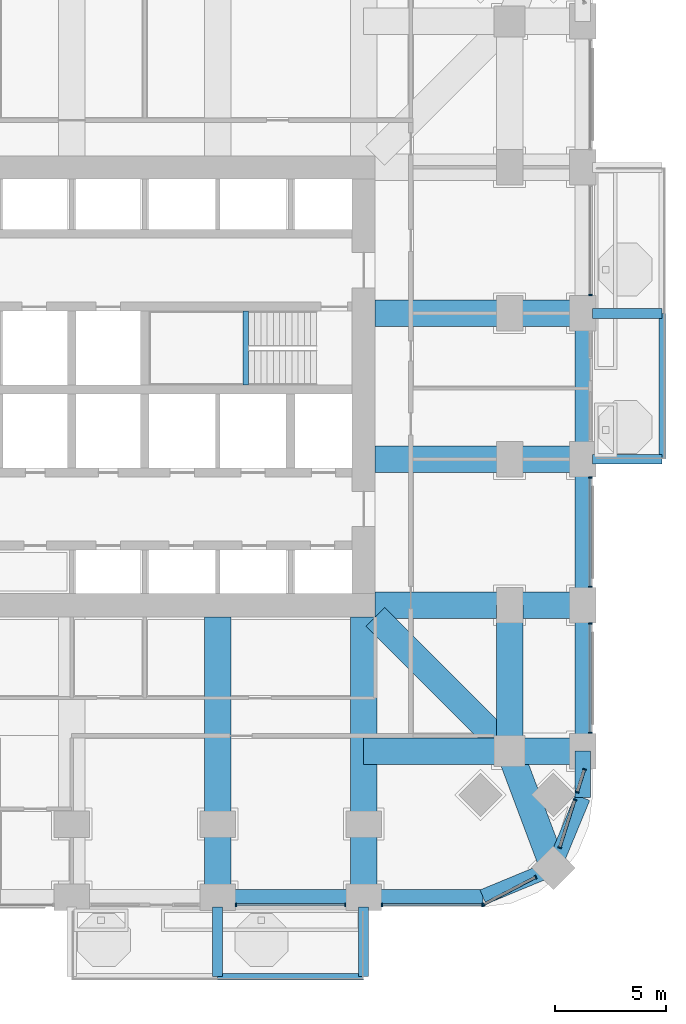
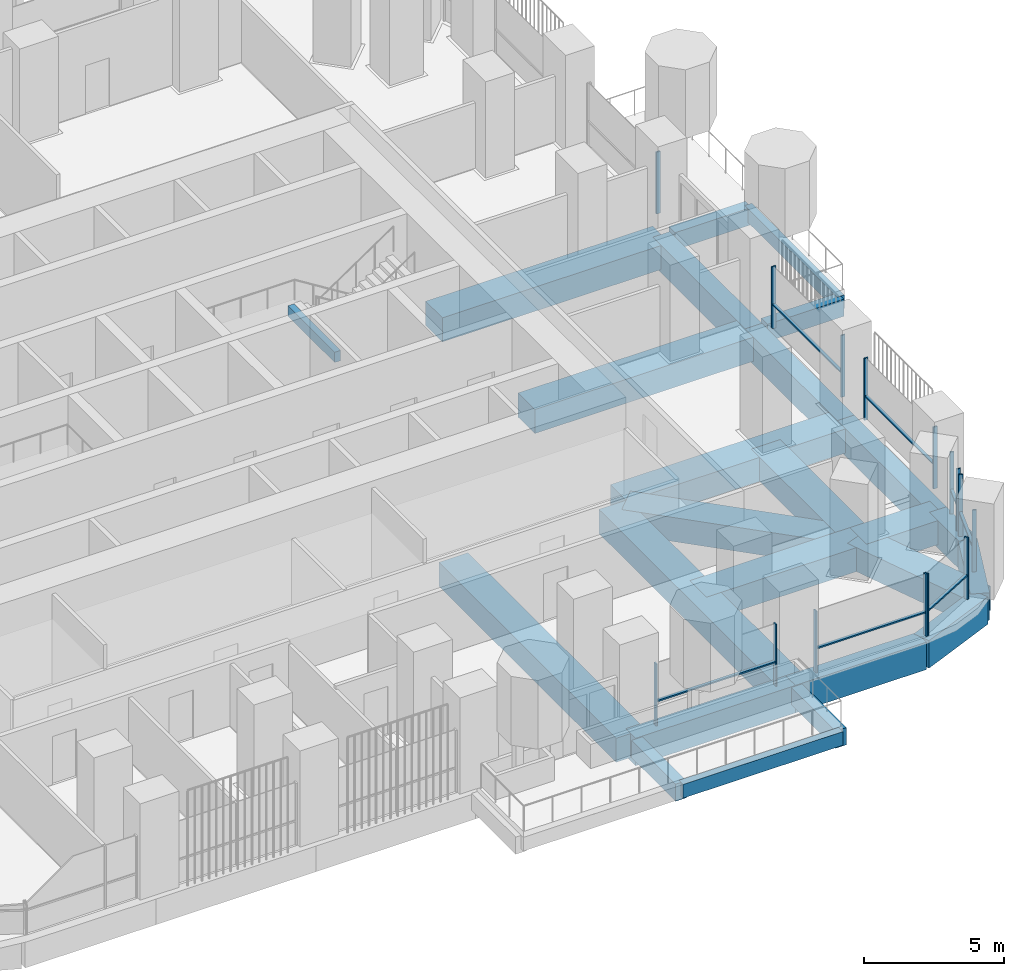
# One storey, part 5 of 21: 25 beams, 22 members, 8 elements without a shape of their own.
"""IFC4 building model written with IfcOpenShell, lengths in metres."""

from ifc_helpers import new_model, si_unit, direction, frame, origin, origin_2d, place, context, subcontext, project, spatial, rectangle, extrude, material, material_profile, profile_set, type_object, element, aggregate, save


model = new_model("IFC4")

# Units and contexts
model_context = context("Model", 3, precision=1e-05, world=origin(), true_north=direction((0.0, 1.0)))
body_context = subcontext(model_context, "Body", "Model", "MODEL_VIEW")
ifc_project = project(units=[si_unit("LENGTHUNIT", "METRE"), si_unit("AREAUNIT", "SQUARE_METRE"), si_unit("VOLUMEUNIT", "CUBIC_METRE"), si_unit("PLANEANGLEUNIT", "RADIAN"), si_unit("MASSUNIT", "GRAM", prefix="KILO")], contexts=[model_context])

# Site, building, storey
site_placement = place(None, origin())
site = spatial("IfcSite", under=ifc_project, at=site_placement, CompositionType="ELEMENT")
building_placement = place(site_placement, origin())
building = spatial("IfcBuilding", under=site, at=building_placement, Name="Cobogo Forest Laboratory Tower", CompositionType="ELEMENT")
storey_placement = place(building_placement, frame((0.0, 0.0, 86.39990234375)))
storey = spatial("IfcBuildingStorey", under=building, at=storey_placement, Name="L19", CompositionType="ELEMENT", Elevation=86.39990234375)

# Beams
ifc_material_1 = material(Name="Concrete HA-40 (C40/50)", Category="concrete")
ifc_material_profile_1 = material_profile(ifc_material_1, rectangle(XDim=0.449951171875, YDim=0.75, at=origin_2d()), Name="RC 450x750")
ifc_profile_set_1 = profile_set([ifc_material_profile_1], Name="Concrete HA-40 (C40/50)")
beam_type_1 = type_object("IfcBeamType", Name="Balcony cantilever beam 450x750", PredefinedType="BEAM", material=ifc_profile_set_1)
for number, where, z_axis, x_axis, name in (
    (1, (33.0, -0.449951171875, -0.625), (0.0, -1.0, 0.0), (1.0, 0.0, 0.0), "CB1 BAL-S1-C2 L19"),
    (2, (39.60009765625, -0.449951171875, -0.625), (0.0, -1.0, 0.0), (1.0, 0.0, 0.0), "CB1 BAL-S1-C3 L19"),
    (3, (49.949951171875, 19.800048828125, -0.625), (1.0, 0.0, 0.0), (0.0, 1.0, 0.0), "CB1 BAL-E1-C1 L19"),
    (4, (49.949951171875, 26.39990234375, -0.625), (1.0, 0.0, 0.0), (0.0, 1.0, 0.0), "CB1 BAL-E1-C2 L19"),
):
    element("IfcBeam", number, at=place(storey_placement, frame(where, z_axis=z_axis, x_axis=x_axis)), inside=storey, type_object=beam_type_1, Name=name, PredefinedType="BEAM", context=body_context, shape_type="SweptSolid", body=[
        extrude(rectangle(XDim=0.449951171875, YDim=0.75, at=origin_2d()), origin(), (0.0, 0.0, 1.0), 3.150146484375),
    ])
ifc_material_profile_2 = material_profile(ifc_material_1, rectangle(XDim=0.300048828125, YDim=0.60009765625, at=origin_2d()), Name="RC 300x600")
ifc_profile_set_2 = profile_set([ifc_material_profile_2], Name="Concrete HA-40 (C40/50)")
beam_type_2 = type_object("IfcBeamType", Name="Balcony edge beam 300x600", PredefinedType="BEAM", material=ifc_profile_set_2)
beam_1_placement = place(storey_placement, frame((33.0, -3.60009765625, -0.5498046875), z_axis=(1.0, 0.0, 0.0), x_axis=(0.0, 1.0, 0.0)))
element("IfcBeam", 5, at=beam_1_placement, inside=storey, type_object=beam_type_2, Name="BB1 BAL-S1-T2 L19", PredefinedType="BEAM", context=body_context, shape_type="SweptSolid", body=[
    extrude(rectangle(XDim=0.300048828125, YDim=0.60009765625, at=origin_2d()), origin(), (0.0, 0.0, 1.0), 6.60009765625),
])
beam_2_placement = place(storey_placement, frame((53.10009765625, 19.800048828125, -0.5498046875), z_axis=(0.0, 1.0, 0.0), x_axis=(-1.0, 0.0, 0.0)))
element("IfcBeam", 6, at=beam_2_placement, inside=storey, type_object=beam_type_2, Name="BB1 BAL-E1-T1 L19", PredefinedType="BEAM", context=body_context, shape_type="SweptSolid", body=[
    extrude(rectangle(XDim=0.300048828125, YDim=0.60009765625, at=origin_2d()), origin(), (0.0, 0.0, 1.0), 6.599853515625),
])
ifc_material_profile_3 = material_profile(ifc_material_1, rectangle(XDim=0.25, YDim=0.449951171875, at=origin_2d()), Name="RC 250x450")
ifc_profile_set_3 = profile_set([ifc_material_profile_3], Name="Concrete HA-40 (C40/50)")
beam_type_3 = type_object("IfcBeamType", Name="LB1 landing beam 250x450", PredefinedType="BEAM", material=ifc_profile_set_3)
beam_3_placement = place(storey_placement, frame((34.27001953125, 23.14990234375, 1.675048828125), z_axis=(0.0, 1.0, 0.0), x_axis=(-1.0, 0.0, 0.0)))
element("IfcBeam", 7, at=beam_3_placement, inside=storey, type_object=beam_type_3, Name="Landing beam ST2 L19", PredefinedType="BEAM", context=body_context, shape_type="SweptSolid", body=[
    extrude(rectangle(XDim=0.25, YDim=0.449951171875, at=origin_2d()), origin(), (0.0, 0.0, 1.0), 3.35009765625),
])
ifc_material_profile_4 = material_profile(ifc_material_1, rectangle(XDim=1.199951171875, YDim=1.050048828125, at=origin_2d()), Name="RC 1200x1050")
ifc_profile_set_4 = profile_set([ifc_material_profile_4], Name="Concrete HA-40 (C40/50)")
beam_type_4 = type_object("IfcBeamType", Name="Laboratory floor wide beam 1200x1050", PredefinedType="BEAM", material=ifc_profile_set_4)
for number, where, z_axis, x_axis, name in (
    (8, (33.0, 12.675048828125, -0.824951171875), (0.0, -1.0, 0.0), (1.0, 0.0, 0.0), "RB1 R-6-S L19"),
    (9, (39.60009765625, 12.675048828125, -0.824951171875), (0.0, -1.0, 0.0), (1.0, 0.0, 0.0), "RB1 R-7-S L19"),
):
    element("IfcBeam", number, at=place(storey_placement, frame(where, z_axis=z_axis, x_axis=x_axis)), inside=storey, type_object=beam_type_4, Name=name, PredefinedType="BEAM", context=body_context, shape_type="SweptSolid", body=[
        extrude(rectangle(XDim=1.199951171875, YDim=1.050048828125, at=origin_2d()), origin(), (0.0, 0.0, 1.0), 12.675048828125),
    ])
for number, where, z_axis, x_axis, name in (
    (10, (40.125, 13.199951171875, -0.824951171875), (1.0, 0.0, 0.0), (0.0, 1.0, 0.0), "RB1 R-C-E L19"),
    (11, (40.125, 19.800048828125, -0.824951171875), (1.0, 0.0, 0.0), (0.0, 1.0, 0.0), "RB1 R-D-E L19"),
    (12, (40.125, 26.39990234375, -0.824951171875), (1.0, 0.0, 0.0), (0.0, 1.0, 0.0), "RB1 R-E-E L19"),
):
    element("IfcBeam", number, at=place(storey_placement, frame(where, z_axis=z_axis, x_axis=x_axis)), inside=storey, type_object=beam_type_4, Name=name, PredefinedType="BEAM", context=body_context, shape_type="SweptSolid", body=[
        extrude(rectangle(XDim=1.199951171875, YDim=1.050048828125, at=origin_2d()), origin(), (0.0, 0.0, 1.0), 9.375),
    ])
beam_4_placement = place(storey_placement, frame((46.199951171875, 6.60009765625, -0.824951171875), z_axis=(0.0, 1.0, 0.0), x_axis=(-1.0, 0.0, 0.0)))
element("IfcBeam", 13, at=beam_4_placement, inside=storey, type_object=beam_type_4, Name="RB1 G-SE-XC L19", PredefinedType="BEAM", context=body_context, shape_type="SweptSolid", body=[
    extrude(rectangle(XDim=1.199951171875, YDim=1.050048828125, at=origin_2d()), origin(), (0.0, 0.0, 1.0), 6.599853515625),
])
beam_5_placement = place(storey_placement, frame((49.5, 6.60009765625, -0.824951171875), z_axis=(-1.0, 0.0, 0.0), x_axis=(0.0, -1.0, 0.0)))
element("IfcBeam", 14, at=beam_5_placement, inside=storey, type_object=beam_type_4, Name="RB1 G-SE-YF L19", PredefinedType="BEAM", context=body_context, shape_type="SweptSolid", body=[
    extrude(rectangle(XDim=1.199951171875, YDim=1.050048828125, at=origin_2d()), origin(), (0.0, 0.0, 1.0), 3.300048828125),
])
beam_6_placement = place(storey_placement, frame((46.199951171875, 6.60009765625, -0.824951171875), z_axis=(-1.0, 0.0, 0.0), x_axis=(0.0, -1.0, 0.0)))
element("IfcBeam", 15, at=beam_6_placement, inside=storey, type_object=beam_type_4, Name="RB1 G-SE-YC L19", PredefinedType="BEAM", context=body_context, shape_type="SweptSolid", body=[
    extrude(rectangle(XDim=1.199951171875, YDim=1.050048828125, at=origin_2d()), origin(), (0.0, 0.0, 1.0), 6.599853515625),
])
beam_7_placement = place(storey_placement, frame((48.181884765625, 1.318115234375, -0.824951171875), z_axis=(-0.351308391925, 0.936259800356, 0.0), x_axis=(-0.936259800356, -0.351308391925, 0.0)))
element("IfcBeam", 16, at=beam_7_placement, inside=storey, type_object=beam_type_4, Name="RB1 G-SE-D1 L19", PredefinedType="BEAM", context=body_context, shape_type="SweptSolid", body=[
    extrude(rectangle(XDim=1.199951171875, YDim=1.050048828125, at=origin_2d()), origin(), (0.0, 0.0, 1.0), 5.6416015625),
])
beam_8_placement = place(storey_placement, frame((46.199951171875, 6.60009765625, -0.824951171875), z_axis=(-0.707106781187, 0.707106781187, 0.0), x_axis=(-0.707106781187, -0.707106781187, 0.0)))
element("IfcBeam", 17, at=beam_8_placement, inside=storey, type_object=beam_type_4, Name="RB1 G-SE-D2 L19", PredefinedType="BEAM", context=body_context, shape_type="SweptSolid", body=[
    extrude(rectangle(XDim=1.199951171875, YDim=1.050048828125, at=origin_2d()), origin(), (0.0, 0.0, 1.0), 8.59130859375),
])

# Curtain wall, members
ifc_material_2 = material(Name="Aluminium curtain wall", Category="aluminium")
curtain_wall_type = type_object("IfcCurtainWallType", Name="CW-1 unitised curtain wall, clear glazing, laboratory floors zones A and B", PredefinedType="USERDEFINED", material=ifc_material_2)
curtain_wall_1_placement = place(storey_placement, origin())
curtain_wall_1 = element("IfcCurtainWall", 18, at=curtain_wall_1_placement, inside=storey, type_object=curtain_wall_type, Name="Curtain wall 05 L19", ObjectType="UNITISED CURTAIN WALL", PredefinedType="USERDEFINED")
ifc_material_3 = material(Name="Aluminium mullion", Category="aluminium")
ifc_material_profile_5 = material_profile(ifc_material_3, rectangle(XDim=0.06005859375, YDim=0.159912109375, at=origin_2d()), Name="AL 60x160")
ifc_profile_set_5 = profile_set([ifc_material_profile_5], Name="Aluminium mullion")
member_type_1 = type_object("IfcMemberType", Name="MU-1 aluminium mullion 60x160", PredefinedType="MULLION", material=ifc_profile_set_5)
member_1_placement = place(storey_placement, frame((33.830078125, -0.35009765625, 0.0), z_axis=(0.0, 0.0, 1.0), x_axis=(1.0, 0.0, 0.0)))
member_1 = element("IfcMember", 19, at=member_1_placement, type_object=member_type_1, Name="CW-1 mullion 1", PredefinedType="MULLION", context=body_context, shape_type="SweptSolid", body=[
    extrude(rectangle(XDim=0.06005859375, YDim=0.159912109375, at=origin_2d()), origin(), (0.0, 0.0, 1.0), 2.7001953125),
])
member_2_placement = place(storey_placement, frame((38.77001953125, -0.35009765625, 0.0), z_axis=(0.0, 0.0, 1.0), x_axis=(1.0, 0.0, 0.0)))
member_2 = element("IfcMember", 20, at=member_2_placement, type_object=member_type_1, Name="CW-1 mullion 2", PredefinedType="MULLION", context=body_context, shape_type="SweptSolid", body=[
    extrude(rectangle(XDim=0.06005859375, YDim=0.159912109375, at=origin_2d()), origin(), (0.0, 0.0, 1.0), 2.7001953125),
])

curtain_wall_2_placement = place(storey_placement, origin())
curtain_wall_2 = element("IfcCurtainWall", 21, at=curtain_wall_2_placement, inside=storey, type_object=curtain_wall_type, Name="Curtain wall 06 L19", ObjectType="UNITISED CURTAIN WALL", PredefinedType="USERDEFINED")
member_3_placement = place(storey_placement, frame((40.429931640625, -0.35009765625, 0.0), z_axis=(0.0, 0.0, 1.0), x_axis=(1.0, 0.0, 0.0)))
member_3 = element("IfcMember", 22, at=member_3_placement, type_object=member_type_1, Name="CW-1 mullion 1", PredefinedType="MULLION", context=body_context, shape_type="SweptSolid", body=[
    extrude(rectangle(XDim=0.06005859375, YDim=0.159912109375, at=origin_2d()), origin(), (0.0, 0.0, 1.0), 2.7001953125),
])
member_4_placement = place(storey_placement, frame((44.969970703125, -0.35009765625, 0.0), z_axis=(0.0, 0.0, 1.0), x_axis=(1.0, 0.0, 0.0)))
member_4 = element("IfcMember", 23, at=member_4_placement, type_object=member_type_1, Name="CW-1 mullion 2", PredefinedType="MULLION", context=body_context, shape_type="SweptSolid", body=[
    extrude(rectangle(XDim=0.06005859375, YDim=0.159912109375, at=origin_2d()), origin(), (0.0, 0.0, 1.0), 2.7001953125),
])

curtain_wall_3_placement = place(storey_placement, origin())
curtain_wall_3 = element("IfcCurtainWall", 24, at=curtain_wall_3_placement, inside=storey, type_object=curtain_wall_type, Name="Curtain wall 07 L19", ObjectType="UNITISED CURTAIN WALL", PredefinedType="USERDEFINED")
member_5_placement = place(storey_placement, frame((45.026611328125, -0.336181640625, 0.0), z_axis=(0.0, 0.0, 1.0), x_axis=(0.885686540666, 0.464283697413, 0.0)))
member_5 = element("IfcMember", 25, at=member_5_placement, type_object=member_type_1, Name="CW-1 mullion 1", PredefinedType="MULLION", context=body_context, shape_type="SweptSolid", body=[
    extrude(rectangle(XDim=0.06005859375, YDim=0.159912109375, at=origin_2d()), origin(), (0.0, 0.0, 1.0), 2.7001953125),
])
member_6_placement = place(storey_placement, frame((47.38525390625, 0.900390625, 0.0), z_axis=(0.0, 0.0, 1.0), x_axis=(0.885686540666, 0.464283697413, 0.0)))
member_6 = element("IfcMember", 26, at=member_6_placement, type_object=member_type_1, Name="CW-1 mullion 2", PredefinedType="MULLION", context=body_context, shape_type="SweptSolid", body=[
    extrude(rectangle(XDim=0.06005859375, YDim=0.159912109375, at=origin_2d()), origin(), (0.0, 0.0, 1.0), 2.7001953125),
])

curtain_wall_4_placement = place(storey_placement, origin())
curtain_wall_4 = element("IfcCurtainWall", 27, at=curtain_wall_4_placement, inside=storey, type_object=curtain_wall_type, Name="Curtain wall 08 L19", ObjectType="UNITISED CURTAIN WALL", PredefinedType="USERDEFINED")
member_7_placement = place(storey_placement, frame((48.47265625, 2.23876953125, 0.0), z_axis=(0.0, 0.0, 1.0), x_axis=(0.301135343623, 0.953581409645, 0.0)))
member_7 = element("IfcMember", 28, at=member_7_placement, type_object=member_type_1, Name="CW-1 mullion 1", PredefinedType="MULLION", context=body_context, shape_type="SweptSolid", body=[
    extrude(rectangle(XDim=0.06005859375, YDim=0.159912109375, at=origin_2d()), origin(), (0.0, 0.0, 1.0), 2.7001953125),
])
member_8_placement = place(storey_placement, frame((49.154296875, 4.39697265625, 0.0), z_axis=(0.0, 0.0, 1.0), x_axis=(0.301135343623, 0.953581409645, 0.0)))
member_8 = element("IfcMember", 29, at=member_8_placement, type_object=member_type_1, Name="CW-1 mullion 2", PredefinedType="MULLION", context=body_context, shape_type="SweptSolid", body=[
    extrude(rectangle(XDim=0.06005859375, YDim=0.159912109375, at=origin_2d()), origin(), (0.0, 0.0, 1.0), 2.7001953125),
])

curtain_wall_5_placement = place(storey_placement, origin())
curtain_wall_5 = element("IfcCurtainWall", 30, at=curtain_wall_5_placement, inside=storey, type_object=curtain_wall_type, Name="Curtain wall 09 L19", ObjectType="UNITISED CURTAIN WALL", PredefinedType="USERDEFINED")
member_9_placement = place(storey_placement, frame((49.2646484375, 4.74658203125, 0.0), z_axis=(0.0, 0.0, 1.0), x_axis=(0.3011355018, 0.953581359694, 0.0)))
member_9 = element("IfcMember", 31, at=member_9_placement, type_object=member_type_1, Name="CW-1 mullion 1", PredefinedType="MULLION", context=body_context, shape_type="SweptSolid", body=[
    extrude(rectangle(XDim=0.06005859375, YDim=0.159912109375, at=origin_2d()), origin(), (0.0, 0.0, 1.0), 2.7001953125),
])
member_10_placement = place(storey_placement, frame((49.58837890625, 5.771484375, 0.0), z_axis=(0.0, 0.0, 1.0), x_axis=(0.3011355018, 0.953581359694, 0.0)))
member_10 = element("IfcMember", 32, at=member_10_placement, type_object=member_type_1, Name="CW-1 mullion 2", PredefinedType="MULLION", context=body_context, shape_type="SweptSolid", body=[
    extrude(rectangle(XDim=0.06005859375, YDim=0.159912109375, at=origin_2d()), origin(), (0.0, 0.0, 1.0), 2.7001953125),
])

curtain_wall_6_placement = place(storey_placement, origin())
curtain_wall_6 = element("IfcCurtainWall", 33, at=curtain_wall_6_placement, inside=storey, type_object=curtain_wall_type, Name="Curtain wall 10 L19", ObjectType="UNITISED CURTAIN WALL", PredefinedType="USERDEFINED")
member_11_placement = place(storey_placement, frame((49.85009765625, 7.429931640625, 0.0), z_axis=(0.0, 0.0, 1.0), x_axis=(0.0, 1.0, 0.0)))
member_11 = element("IfcMember", 34, at=member_11_placement, type_object=member_type_1, Name="CW-1 mullion 1", PredefinedType="MULLION", context=body_context, shape_type="SweptSolid", body=[
    extrude(rectangle(XDim=0.06005859375, YDim=0.159912109375, at=origin_2d()), origin(), (0.0, 0.0, 1.0), 2.7001953125),
])
member_12_placement = place(storey_placement, frame((49.85009765625, 12.3701171875, 0.0), z_axis=(0.0, 0.0, 1.0), x_axis=(0.0, 1.0, 0.0)))
member_12 = element("IfcMember", 35, at=member_12_placement, type_object=member_type_1, Name="CW-1 mullion 2", PredefinedType="MULLION", context=body_context, shape_type="SweptSolid", body=[
    extrude(rectangle(XDim=0.06005859375, YDim=0.159912109375, at=origin_2d()), origin(), (0.0, 0.0, 1.0), 2.7001953125),
])

curtain_wall_7_placement = place(storey_placement, origin())
curtain_wall_7 = element("IfcCurtainWall", 36, at=curtain_wall_7_placement, inside=storey, type_object=curtain_wall_type, Name="Curtain wall 11 L19", ObjectType="UNITISED CURTAIN WALL", PredefinedType="USERDEFINED")
member_13_placement = place(storey_placement, frame((49.85009765625, 14.030029296875, 0.0), z_axis=(0.0, 0.0, 1.0), x_axis=(0.0, 1.0, 0.0)))
member_13 = element("IfcMember", 37, at=member_13_placement, type_object=member_type_1, Name="CW-1 mullion 1", PredefinedType="MULLION", context=body_context, shape_type="SweptSolid", body=[
    extrude(rectangle(XDim=0.06005859375, YDim=0.159912109375, at=origin_2d()), origin(), (0.0, 0.0, 1.0), 2.7001953125),
])
member_14_placement = place(storey_placement, frame((49.85009765625, 18.969970703125, 0.0), z_axis=(0.0, 0.0, 1.0), x_axis=(0.0, 1.0, 0.0)))
member_14 = element("IfcMember", 38, at=member_14_placement, type_object=member_type_1, Name="CW-1 mullion 2", PredefinedType="MULLION", context=body_context, shape_type="SweptSolid", body=[
    extrude(rectangle(XDim=0.06005859375, YDim=0.159912109375, at=origin_2d()), origin(), (0.0, 0.0, 1.0), 2.7001953125),
])

# Curtain wall, member
curtain_wall_8_placement = place(storey_placement, origin())
curtain_wall_8 = element("IfcCurtainWall", 39, at=curtain_wall_8_placement, inside=storey, type_object=curtain_wall_type, Name="Curtain wall 13 L19", ObjectType="UNITISED CURTAIN WALL", PredefinedType="USERDEFINED")
member_15_placement = place(storey_placement, frame((49.85009765625, 27.22998046875, 0.0), z_axis=(0.0, 0.0, 1.0), x_axis=(0.0, 1.0, 0.0)))
member_15 = element("IfcMember", 40, at=member_15_placement, type_object=member_type_1, Name="CW-1 mullion 1", PredefinedType="MULLION", context=body_context, shape_type="SweptSolid", body=[
    extrude(rectangle(XDim=0.06005859375, YDim=0.159912109375, at=origin_2d()), origin(), (0.0, 0.0, 1.0), 2.7001953125),
])
aggregate(curtain_wall_8, [member_15])

# Beams
ifc_material_profile_6 = material_profile(ifc_material_1, rectangle(XDim=0.699951171875, YDim=1.199951171875, at=origin_2d()), Name="RC 700x1200")
ifc_profile_set_6 = profile_set([ifc_material_profile_6], Name="Concrete HA-40 (C40/50)")
beam_type_5 = type_object("IfcBeamType", Name="Perimeter edge beam 700x1200", PredefinedType="BEAM", material=ifc_profile_set_6)
beam_9_placement = place(storey_placement, frame((33.0, 0.0, -0.89990234375), z_axis=(1.0, 0.0, 0.0), x_axis=(0.0, 1.0, 0.0)))
element("IfcBeam", 41, at=beam_9_placement, inside=storey, type_object=beam_type_5, Name="EB1 E-S4 L19", PredefinedType="BEAM", context=body_context, shape_type="SweptSolid", body=[
    extrude(rectangle(XDim=0.699951171875, YDim=1.199951171875, at=origin_2d()), origin(), (0.0, 0.0, 1.0), 6.60009765625),
])
beam_10_placement = place(storey_placement, frame((49.5, 6.60009765625, -0.89990234375), z_axis=(0.0, 1.0, 0.0), x_axis=(-1.0, 0.0, 0.0)))
element("IfcBeam", 42, at=beam_10_placement, inside=storey, type_object=beam_type_5, Name="EB1 E-E1 L19", PredefinedType="BEAM", context=body_context, shape_type="SweptSolid", body=[
    extrude(rectangle(XDim=0.699951171875, YDim=1.199951171875, at=origin_2d()), origin(), (0.0, 0.0, 1.0), 6.599853515625),
])
beam_11_placement = place(storey_placement, frame((49.5, 13.199951171875, -0.89990234375), z_axis=(0.0, 1.0, 0.0), x_axis=(-1.0, 0.0, 0.0)))
element("IfcBeam", 43, at=beam_11_placement, inside=storey, type_object=beam_type_5, Name="EB1 E-E2 L19", PredefinedType="BEAM", context=body_context, shape_type="SweptSolid", body=[
    extrude(rectangle(XDim=0.699951171875, YDim=1.199951171875, at=origin_2d()), origin(), (0.0, 0.0, 1.0), 6.60009765625),
])
beam_12_placement = place(storey_placement, frame((49.5, 19.800048828125, -0.89990234375), z_axis=(0.0, 1.0, 0.0), x_axis=(-1.0, 0.0, 0.0)))
element("IfcBeam", 44, at=beam_12_placement, inside=storey, type_object=beam_type_5, Name="EB1 E-E3 L19", PredefinedType="BEAM", context=body_context, shape_type="SweptSolid", body=[
    extrude(rectangle(XDim=0.699951171875, YDim=1.199951171875, at=origin_2d()), origin(), (0.0, 0.0, 1.0), 6.599853515625),
])
beam_13_placement = place(storey_placement, frame((39.60009765625, 0.0, -0.89990234375), z_axis=(1.0, 0.0, 0.0), x_axis=(0.0, 1.0, 0.0)))
element("IfcBeam", 45, at=beam_13_placement, inside=storey, type_object=beam_type_5, Name="EB1 E-SES1 L19", PredefinedType="BEAM", context=body_context, shape_type="SweptSolid", body=[
    extrude(rectangle(XDim=0.699951171875, YDim=1.199951171875, at=origin_2d()), origin(), (0.0, 0.0, 1.0), 5.39990234375),
])
beam_14_placement = place(storey_placement, frame((45.0, 0.0, -0.89990234375), z_axis=(0.923865631356, 0.382716990999, 0.0), x_axis=(-0.382716990999, 0.923865631356, 0.0)))
element("IfcBeam", 46, at=beam_14_placement, inside=storey, type_object=beam_type_5, Name="EB1 E-SES2 L19", PredefinedType="BEAM", context=body_context, shape_type="SweptSolid", body=[
    extrude(rectangle(XDim=0.699951171875, YDim=1.199951171875, at=origin_2d()), origin(), (0.0, 0.0, 1.0), 3.444091796875),
])
beam_15_placement = place(storey_placement, frame((49.5, 6.60009765625, -0.89990234375), z_axis=(0.0, -1.0, 0.0), x_axis=(1.0, 0.0, 0.0)))
element("IfcBeam", 47, at=beam_15_placement, inside=storey, type_object=beam_type_5, Name="EB1 E-SEE1 L19", PredefinedType="BEAM", context=body_context, shape_type="SweptSolid", body=[
    extrude(rectangle(XDim=0.699951171875, YDim=1.199951171875, at=origin_2d()), origin(), (0.0, 0.0, 1.0), 2.10009765625),
])
beam_16_placement = place(storey_placement, frame((49.5, 4.5, -0.89990234375), z_axis=(-0.382716990999, -0.923865631356, 0.0), x_axis=(0.923865631356, -0.382716990999, 0.0)))
element("IfcBeam", 48, at=beam_16_placement, inside=storey, type_object=beam_type_5, Name="EB1 E-SEE2 L19", PredefinedType="BEAM", context=body_context, shape_type="SweptSolid", body=[
    extrude(rectangle(XDim=0.699951171875, YDim=1.199951171875, at=origin_2d()), origin(), (0.0, 0.0, 1.0), 3.444091796875),
])

# Member
ifc_material_4 = material(Name="Aluminium transom", Category="aluminium")
ifc_material_profile_7 = material_profile(ifc_material_4, rectangle(XDim=0.1201171875, YDim=0.06005859375, at=origin_2d()), Name="AL 60x120")
ifc_profile_set_7 = profile_set([ifc_material_profile_7], Name="Aluminium transom")
member_type_2 = type_object("IfcMemberType", Name="TR-1 aluminium transom 60x120", PredefinedType="USERDEFINED", material=ifc_profile_set_7)
member_16_placement = place(storey_placement, frame((33.860107421875, -0.35009765625, 1.050048828125), z_axis=(1.0, 0.0, 0.0), x_axis=(0.0, 1.0, 0.0)))
member_16 = element("IfcMember", 49, at=member_16_placement, type_object=member_type_2, Name="CW-1 transom 1.1", ObjectType="TRANSOM", PredefinedType="USERDEFINED", context=body_context, shape_type="SweptSolid", body=[
    extrude(rectangle(XDim=0.1201171875, YDim=0.06005859375, at=origin_2d()), origin(), (0.0, 0.0, 1.0), 4.8798828125),
])

aggregate(curtain_wall_1, [member_1, member_2, member_16])

member_17_placement = place(storey_placement, frame((40.4599609375, -0.35009765625, 1.050048828125), z_axis=(1.0, 0.0, 0.0), x_axis=(0.0, 1.0, 0.0)))
member_17 = element("IfcMember", 50, at=member_17_placement, type_object=member_type_2, Name="CW-1 transom 1.1", ObjectType="TRANSOM", PredefinedType="USERDEFINED", context=body_context, shape_type="SweptSolid", body=[
    extrude(rectangle(XDim=0.1201171875, YDim=0.06005859375, at=origin_2d()), origin(), (0.0, 0.0, 1.0), 4.47998046875),
])

aggregate(curtain_wall_2, [member_3, member_4, member_17])

member_18_placement = place(storey_placement, frame((45.05322265625, -0.322021484375, 1.050048828125), z_axis=(0.885690136655, 0.464276837493, 0.0), x_axis=(-0.464276837493, 0.885690136655, 0.0)))
member_18 = element("IfcMember", 51, at=member_18_placement, type_object=member_type_2, Name="CW-1 transom 1.1", ObjectType="TRANSOM", PredefinedType="USERDEFINED", context=body_context, shape_type="SweptSolid", body=[
    extrude(rectangle(XDim=0.1201171875, YDim=0.06005859375, at=origin_2d()), origin(), (0.0, 0.0, 1.0), 2.60302734375),
])

aggregate(curtain_wall_3, [member_5, member_6, member_18])

member_19_placement = place(storey_placement, frame((48.481689453125, 2.267333984375, 1.050048828125), z_axis=(0.301163185322, 0.953572616955, 0.0), x_axis=(-0.953572616955, 0.301163185322, 0.0)))
member_19 = element("IfcMember", 52, at=member_19_placement, type_object=member_type_2, Name="CW-1 transom 1.1", ObjectType="TRANSOM", PredefinedType="USERDEFINED", context=body_context, shape_type="SweptSolid", body=[
    extrude(rectangle(XDim=0.1201171875, YDim=0.06005859375, at=origin_2d()), origin(), (0.0, 0.0, 1.0), 2.203369140625),
])

aggregate(curtain_wall_4, [member_7, member_8, member_19])

member_20_placement = place(storey_placement, frame((49.273681640625, 4.775390625, 1.050048828125), z_axis=(0.301315651749, 0.953524450662, 0.0), x_axis=(-0.953524450662, 0.301315651749, 0.0)))
member_20 = element("IfcMember", 53, at=member_20_placement, type_object=member_type_2, Name="CW-1 transom 1.1", ObjectType="TRANSOM", PredefinedType="USERDEFINED", context=body_context, shape_type="SweptSolid", body=[
    extrude(rectangle(XDim=0.1201171875, YDim=0.06005859375, at=origin_2d()), origin(), (0.0, 0.0, 1.0), 1.014404296875),
])

aggregate(curtain_wall_5, [member_9, member_10, member_20])

member_21_placement = place(storey_placement, frame((49.85009765625, 7.4599609375, 1.050048828125), z_axis=(0.0, 1.0, 0.0), x_axis=(-1.0, 0.0, 0.0)))
member_21 = element("IfcMember", 54, at=member_21_placement, type_object=member_type_2, Name="CW-1 transom 1.1", ObjectType="TRANSOM", PredefinedType="USERDEFINED", context=body_context, shape_type="SweptSolid", body=[
    extrude(rectangle(XDim=0.1201171875, YDim=0.06005859375, at=origin_2d()), origin(), (0.0, 0.0, 1.0), 4.880126953125),
])

aggregate(curtain_wall_6, [member_11, member_12, member_21])

member_22_placement = place(storey_placement, frame((49.85009765625, 14.06005859375, 1.050048828125), z_axis=(0.0, 1.0, 0.0), x_axis=(-1.0, 0.0, 0.0)))
member_22 = element("IfcMember", 55, at=member_22_placement, type_object=member_type_2, Name="CW-1 transom 1.1", ObjectType="TRANSOM", PredefinedType="USERDEFINED", context=body_context, shape_type="SweptSolid", body=[
    extrude(rectangle(XDim=0.1201171875, YDim=0.06005859375, at=origin_2d()), origin(), (0.0, 0.0, 1.0), 4.8798828125),
])

aggregate(curtain_wall_7, [member_13, member_14, member_22])

save(model, "model.ifc")
